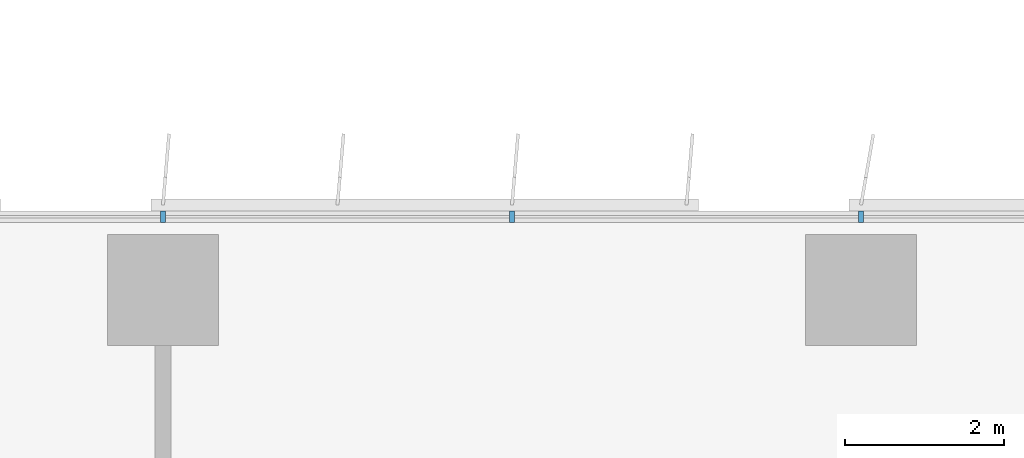
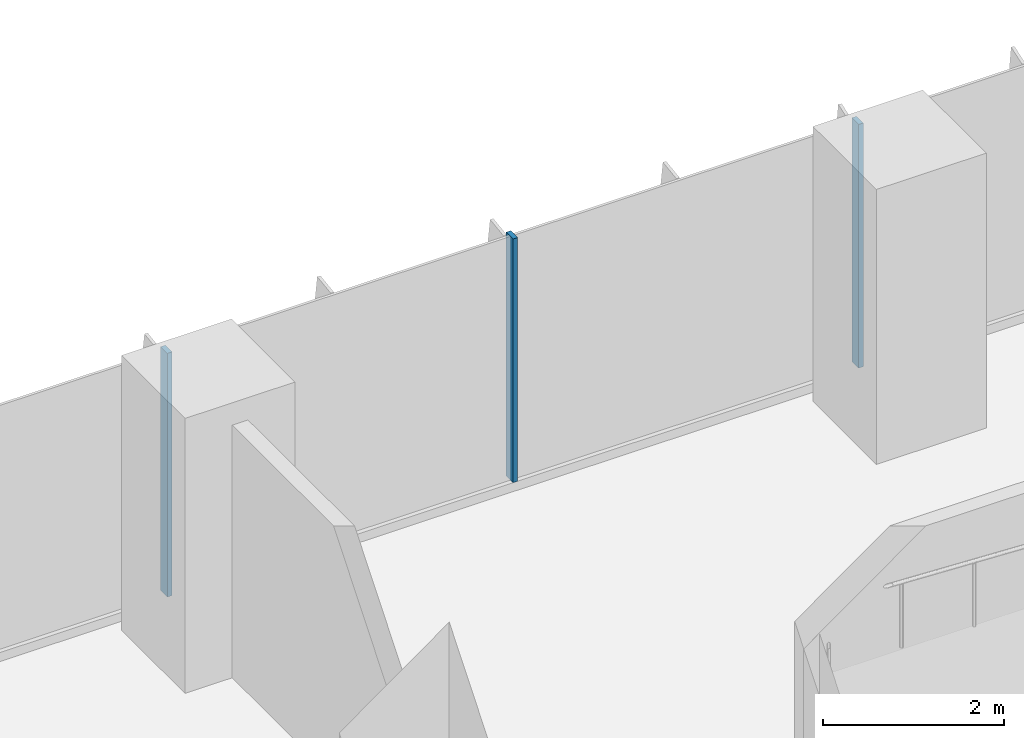
# One storey, part 4 of 24: 3 members, 1 element without a shape of its own.
"""IFC4 building model written with IfcOpenShell, lengths in metres."""

from ifc_helpers import new_model, si_unit, direction, frame, origin, origin_2d, place, context, subcontext, project, spatial, rectangle, extrude, source, transform, mapped, material, material_profile, profile_set, type_object, element, aggregate, save


model = new_model("IFC4")

# Units and contexts
model_context = context("Model", 3, precision=1e-05, world=origin(), true_north=direction((0.0, 1.0)))
body_context = subcontext(model_context, "Body", "Model", "MODEL_VIEW")
ifc_project = project(units=[si_unit("LENGTHUNIT", "METRE"), si_unit("AREAUNIT", "SQUARE_METRE"), si_unit("VOLUMEUNIT", "CUBIC_METRE"), si_unit("PLANEANGLEUNIT", "RADIAN"), si_unit("MASSUNIT", "GRAM", prefix="KILO")], contexts=[model_context])

# Site, building, storey
site_placement = place(None, origin())
site = spatial("IfcSite", under=ifc_project, at=site_placement, CompositionType="ELEMENT")
building_placement = place(site_placement, origin())
building = spatial("IfcBuilding", under=site, at=building_placement, Name="Kemantara Hotel Tower", CompositionType="ELEMENT")
storey_placement = place(building_placement, frame((0.0, 0.0, 37.699951171875)))
storey = spatial("IfcBuildingStorey", under=building, at=storey_placement, Name="L07", CompositionType="ELEMENT", Elevation=37.699951171875)

# Curtain wall, members
ifc_material_1 = material(Name="Low-E tinted double insulated glass 36 mm", Category="glass")
curtain_wall_type = type_object("IfcCurtainWallType", Name="TOWER CURTAIN WALL, FRONT FACES", PredefinedType="USERDEFINED", material=ifc_material_1)
curtain_wall_placement = place(storey_placement, origin())
curtain_wall = element("IfcCurtainWall", 1, at=curtain_wall_placement, inside=storey, type_object=curtain_wall_type, Name="CW4 L07 T1-R07-1", ObjectType="TOWER CURTAIN WALL, FRONT FACES", PredefinedType="USERDEFINED")
ifc_material_2 = material(Name="Aluminium 6063-T6 bronze anodised", Category="aluminium")
ifc_material_profile = material_profile(ifc_material_2, rectangle(XDim=0.14990234375, YDim=0.06005859375, at=origin_2d()), Name="TOWER CURTAIN WALL, FRONT FACES MULLION")
ifc_profile_set = profile_set([ifc_material_profile], Name="Aluminium 6063-T6 bronze anodised")
member_type = type_object("IfcMemberType", Name="TOWER CURTAIN WALL, FRONT FACES MULLION", PredefinedType="MULLION", material=ifc_profile_set)
shared_shape = source(origin(), body_context, "Body", "SweptSolid", [
    extrude(rectangle(XDim=0.14990234375, YDim=0.06005859375, at=origin_2d()), origin(), (0.0, 0.0, 1.0), 3.280029296875),
])
member_1_placement = place(storey_placement, frame((62.60009765625, 26.72509765625, 0.1201171875), z_axis=(0.0, 0.0, 1.0), x_axis=(0.0, -1.0, 0.0)))
member_1 = element("IfcMember", 2, at=member_1_placement, type_object=member_type, Name="CW4 mullion T1-R07-1.5", PredefinedType="MULLION", context=body_context, shape_type="MappedRepresentation", body=[
    mapped(shared_shape, transform((0.0, 0.0, 0.0))),
])
member_2_placement = place(storey_placement, frame((58.199951171875, 26.72509765625, 0.1201171875), z_axis=(0.0, 0.0, 1.0), x_axis=(0.0, -1.0, 0.0)))
member_2 = element("IfcMember", 3, at=member_2_placement, type_object=member_type, Name="CW4 mullion T1-R07-1.6", PredefinedType="MULLION", context=body_context, shape_type="MappedRepresentation", body=[
    mapped(shared_shape, transform((0.0, 0.0, 0.0))),
])
member_3_placement = place(storey_placement, frame((53.800048828125, 26.72509765625, 0.1201171875), z_axis=(0.0, 0.0, 1.0), x_axis=(0.0, -1.0, 0.0)))
member_3 = element("IfcMember", 4, at=member_3_placement, type_object=member_type, Name="CW4 mullion T1-R07-1.7", PredefinedType="MULLION", context=body_context, shape_type="MappedRepresentation", body=[
    mapped(shared_shape, transform((0.0, 0.0, 0.0))),
])
aggregate(curtain_wall, [member_1, member_2, member_3])

save(model, "model.ifc")
